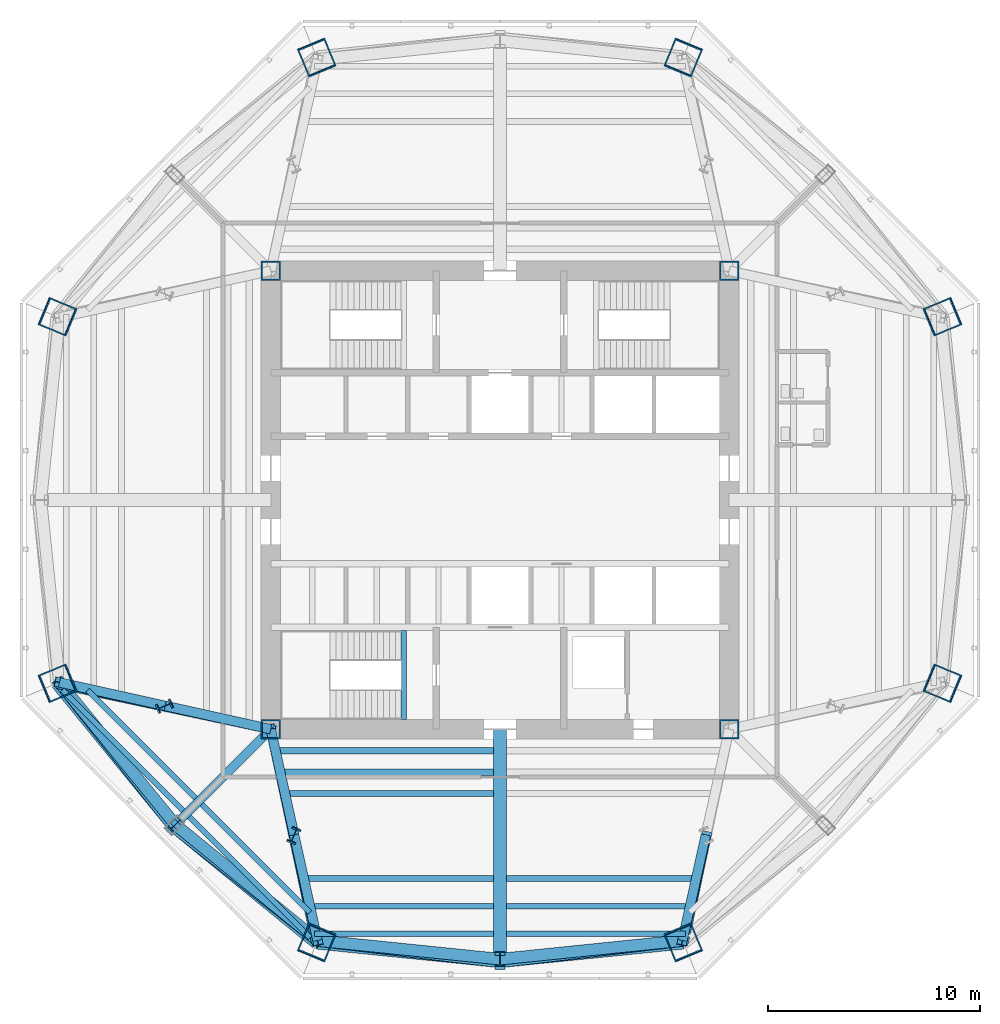
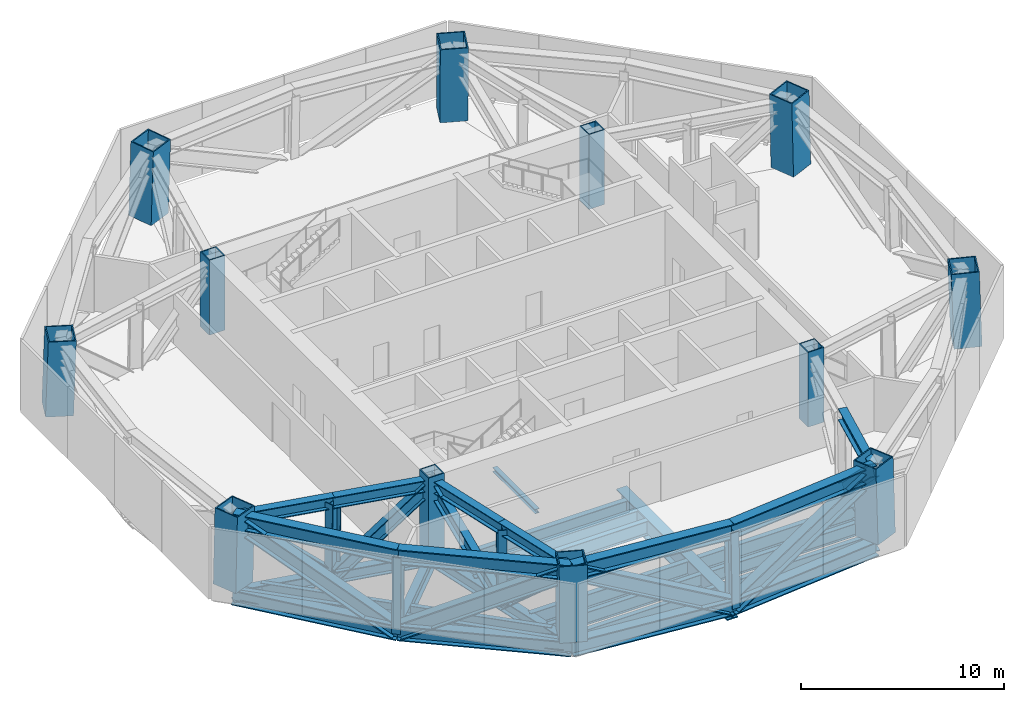
# One storey, part 1 of 10: 31 members, 16 beams, 12 columns.
"""IFC4 building model written with IfcOpenShell, lengths in metres."""

from ifc_helpers import new_model, si_unit, direction, frame, origin, origin_2d, place, context, subcontext, project, spatial, hollow_rectangle, i_section, extrude, source, transform, mapped, material, material_profile, profile_set, type_object, type_shapes, element, save


model = new_model("IFC4")

# Units and contexts
model_context = context("Model", 3, precision=1e-05, world=origin(), true_north=direction((0.0, 1.0)))
body_context = subcontext(model_context, "Body", "Model", "MODEL_VIEW")
ifc_project = project(units=[si_unit("LENGTHUNIT", "METRE"), si_unit("AREAUNIT", "SQUARE_METRE"), si_unit("VOLUMEUNIT", "CUBIC_METRE"), si_unit("PLANEANGLEUNIT", "RADIAN"), si_unit("MASSUNIT", "GRAM", prefix="KILO")], contexts=[model_context])

# Site, building, storey
site_placement = place(None, origin())
site = spatial("IfcSite", under=ifc_project, at=site_placement, CompositionType="ELEMENT")
building_placement = place(site_placement, origin())
building = spatial("IfcBuilding", under=site, at=building_placement, Name="Mashrafa Tower", CompositionType="ELEMENT")
storey_placement = place(building_placement, frame((0.0, 0.0, 193.5)))
storey = spatial("IfcBuildingStorey", under=building, at=storey_placement, Name="L44", CompositionType="ELEMENT", Elevation=193.5)

# Columns
ifc_material_1 = material(Name="Steel ASTM A572 Gr 50", Category="steel")
ifc_material_profile_1 = material_profile(ifc_material_1, hollow_rectangle(XDim=0.89990234375, YDim=0.89990234375, WallThickness=0.06005859375, at=origin_2d()), Name="BOX900X900X60")
ifc_profile_set_1 = profile_set([ifc_material_profile_1], Name="Steel ASTM A572 Gr 50")
column_type_1 = type_object("IfcColumnType", Name="Core corner column BOX900X900X60", PredefinedType="COLUMN", material=ifc_profile_set_1)
for number, where, z_axis, x_axis, name in (
    (1, (10.800048828125, 10.800048828125, 0.0), (0.0, 0.0, 1.0), (1.0, 0.0, 0.0), "Core corner column CC-NE L44"),
    (2, (-10.800048828125, 10.800048828125, 0.0), (0.0, 0.0, 1.0), (1.0, 0.0, 0.0), "Core corner column CC-NW L44"),
    (3, (-10.800048828125, -10.800048828125, 0.0), (0.0, 0.0, 1.0), (1.0, 0.0, 0.0), "Core corner column CC-SW L44"),
    (4, (10.800048828125, -10.800048828125, 0.0), (0.0, 0.0, 1.0), (1.0, 0.0, 0.0), "Core corner column CC-SE L44"),
):
    element("IfcColumn", number, at=place(storey_placement, frame(where, z_axis=z_axis, x_axis=x_axis)), inside=storey, type_object=column_type_1, Name=name, PredefinedType="COLUMN", context=body_context, shape_type="SweptSolid", body=[
        extrude(hollow_rectangle(XDim=0.89990234375, YDim=0.89990234375, WallThickness=0.06005859375, at=origin_2d()), origin(), (0.0, 0.0, 1.0), 4.5),
    ])
ifc_material_2 = material(Name="Steel ASTM A572 Gr 50", Category="steel")
ifc_material_profile_2 = material_profile(ifc_material_2, hollow_rectangle(XDim=1.39990234375, YDim=1.39990234375, WallThickness=0.06494140625, at=origin_2d()), Name="BOX1400X1400X65")
ifc_profile_set_2 = profile_set([ifc_material_profile_2], Name="Steel ASTM A572 Gr 50")
column_type_2 = type_object("IfcColumnType", Name="Mega column CFST BOX1400X1400X65", PredefinedType="COLUMN", material=ifc_profile_set_2)
for number, where, z_axis, x_axis, name in (
    (5, (20.862548828125, 8.6416015625, 0.0), (-0.028252835569, -0.011713267721, 0.999532178893), (0.38297812142, -0.923757413239, 0.0), "Mega column MC1 L44"),
    (6, (8.6416015625, 20.862548828125, 0.0), (-0.011713267721, -0.028252835569, 0.999532178893), (0.923757413239, -0.38297812142, 0.0), "Mega column MC2 L44"),
    (7, (-8.6416015625, 20.862548828125, 0.0), (0.011713267721, -0.028252835569, 0.999532178893), (0.923757413239, 0.38297812142, 0.0), "Mega column MC3 L44"),
    (8, (-20.862548828125, 8.6416015625, 0.0), (0.028252835569, -0.011713267721, 0.999532178893), (0.38297812142, 0.923757413239, 0.0), "Mega column MC4 L44"),
    (9, (-20.862548828125, -8.6416015625, 0.0), (0.028252835569, 0.011713267721, 0.999532178893), (-0.38297812142, 0.923757413239, 0.0), "Mega column MC5 L44"),
    (10, (-8.6416015625, -20.862548828125, 0.0), (0.011713267721, 0.028252835569, 0.999532178893), (-0.923757413239, 0.38297812142, 0.0), "Mega column MC6 L44"),
    (11, (8.6416015625, -20.862548828125, 0.0), (-0.011713267721, 0.028252835569, 0.999532178893), (-0.923757413239, -0.38297812142, 0.0), "Mega column MC7 L44"),
    (12, (20.862548828125, -8.6416015625, 0.0), (-0.028252835569, 0.011713267721, 0.999532178893), (-0.38297812142, -0.923757413239, 0.0), "Mega column MC8 L44"),
):
    element("IfcColumn", number, at=place(storey_placement, frame(where, z_axis=z_axis, x_axis=x_axis)), inside=storey, type_object=column_type_2, Name=name, PredefinedType="COLUMN", context=body_context, shape_type="SweptSolid", body=[
        extrude(hollow_rectangle(XDim=1.39990234375, YDim=1.39990234375, WallThickness=0.06494140625, at=origin_2d()), origin(), (0.0, 0.0, 1.0), 4.502197265625),
    ])

# Beams
ifc_material_3 = material(Name="Steel ASTM A572 Gr 50", Category="steel")
ifc_material_profile_3 = material_profile(ifc_material_3, i_section(OverallWidth=0.60009765625, OverallDepth=1.300048828125, WebThickness=0.028076171875, FlangeThickness=0.06494140625, at=origin_2d()), Name="H1300X600X28X65")
ifc_profile_set_3 = profile_set([ifc_material_profile_3], Name="Steel ASTM A572 Gr 50")
beam_type_1 = type_object("IfcBeamType", Name="Beam H1300X600X28X65", PredefinedType="BEAM", material=ifc_profile_set_3)
beam_1_placement = place(storey_placement, frame((0.0, -10.800048828125, -0.89990234375), z_axis=(0.0, -1.0, 0.0), x_axis=(1.0, 0.0, 0.0)))
element("IfcBeam", 13, at=beam_1_placement, inside=storey, type_object=beam_type_1, Name="Radial girder L44 068", PredefinedType="BEAM", context=body_context, shape_type="SweptSolid", body=[
    extrude(i_section(OverallWidth=0.60009765625, OverallDepth=1.300048828125, WebThickness=0.028076171875, FlangeThickness=0.06494140625, at=origin_2d()), origin(), (0.0, 0.0, 1.0), 10.94775390625),
])
ifc_material_4 = material(Name="Steel ASTM A992", Category="steel")
ifc_material_profile_4 = material_profile(ifc_material_4, i_section(OverallWidth=0.256591796875, OverallDepth=0.693359375, WebThickness=0.014404296875, FlangeThickness=0.023681640625, FilletRadius=0.01513671875, at=origin_2d()), Name="W27X114")
ifc_profile_set_4 = profile_set([ifc_material_profile_4], Name="Steel ASTM A992")
beam_type_2 = type_object("IfcBeamType", Name="Beam W27X114", PredefinedType="BEAM", material=ifc_profile_set_4)
for number, where, z_axis, x_axis, name in (
    (14, (-14.933837890625, -14.637451171875, -0.5966796875), (-0.707091595653, 0.707121966394, 0.0), (-0.707121966394, -0.707091595653, 0.0), "Floor beam L44 009"),
    (15, (-8.953125, -20.617919921875, -0.5966796875), (-0.707121966394, 0.707091595653, 0.0), (-0.707091595653, -0.707121966394, 0.0), "Floor beam L44 024"),
):
    element("IfcBeam", number, at=place(storey_placement, frame(where, z_axis=z_axis, x_axis=x_axis)), inside=storey, type_object=beam_type_2, Name=name, PredefinedType="BEAM", context=body_context, shape_type="SweptSolid", body=[
        extrude(i_section(OverallWidth=0.256591796875, OverallDepth=0.693359375, WebThickness=0.014404296875, FlangeThickness=0.023681640625, FilletRadius=0.01513671875, at=origin_2d()), origin(), (0.0, 0.0, 1.0), 8.03857421875),
    ])
ifc_material_5 = material(Name="Steel ASTM A992", Category="steel")
ifc_material_profile_5 = material_profile(ifc_material_5, i_section(OverallWidth=0.25390625, OverallDepth=0.683349609375, WebThickness=0.012451171875, FlangeThickness=0.01904296875, FilletRadius=0.01513671875, at=origin_2d()), Name="W27X94")
ifc_profile_set_5 = profile_set([ifc_material_profile_5], Name="Steel ASTM A992")
beam_type_3 = type_object("IfcBeamType", Name="Beam W27X94", PredefinedType="BEAM", material=ifc_profile_set_5)
for number, where, z_axis, x_axis, name in (
    (16, (-14.34130859375, -14.044921875, -0.591552734375), (-0.707089833334, 0.707123728633, 0.0), (-0.707123728633, -0.707089833334, 0.0), "Floor beam L44 011"),
    (17, (-8.95166015625, -19.434326171875, -0.591552734375), (-0.707123728633, 0.707089833334, 0.0), (-0.707089833334, -0.707123728633, 0.0), "Floor beam L44 025"),
):
    element("IfcBeam", number, at=place(storey_placement, frame(where, z_axis=z_axis, x_axis=x_axis)), inside=storey, type_object=beam_type_3, Name=name, PredefinedType="BEAM", context=body_context, shape_type="SweptSolid", body=[
        extrude(i_section(OverallWidth=0.25390625, OverallDepth=0.683349609375, WebThickness=0.012451171875, FlangeThickness=0.01904296875, FilletRadius=0.01513671875, at=origin_2d()), origin(), (0.0, 0.0, 1.0), 7.202880859375),
    ])
ifc_material_6 = material(Name="Steel ASTM A992", Category="steel")
ifc_material_profile_6 = material_profile(ifc_material_6, i_section(OverallWidth=0.2666015625, OverallDepth=0.761962890625, WebThickness=0.014404296875, FlangeThickness=0.021484375, FilletRadius=0.0166015625, at=origin_2d()), Name="W30X116")
ifc_profile_set_6 = profile_set([ifc_material_profile_6], Name="Steel ASTM A992")
beam_type_4 = type_object("IfcBeamType", Name="Beam W30X116", PredefinedType="BEAM", material=ifc_profile_set_6)
beam_2_placement = place(storey_placement, frame((-0.300048828125, -20.443603515625, -0.631103515625), z_axis=(-1.0, 0.0, 0.0), x_axis=(0.0, -1.0, 0.0)))
element("IfcBeam", 18, at=beam_2_placement, inside=storey, type_object=beam_type_4, Name="Floor beam L44 027", PredefinedType="BEAM", context=body_context, shape_type="SweptSolid", body=[
    extrude(i_section(OverallWidth=0.2666015625, OverallDepth=0.761962890625, WebThickness=0.014404296875, FlangeThickness=0.021484375, FilletRadius=0.0166015625, at=origin_2d()), origin(), (0.0, 0.0, 1.0), 8.435546875),
])
beam_3_placement = place(storey_placement, frame((-0.300048828125, -19.139404296875, -0.631103515625), z_axis=(-1.0, 0.0, 0.0), x_axis=(0.0, -1.0, 0.0)))
element("IfcBeam", 19, at=beam_3_placement, inside=storey, type_object=beam_type_4, Name="Floor beam L44 028", PredefinedType="BEAM", context=body_context, shape_type="SweptSolid", body=[
    extrude(i_section(OverallWidth=0.2666015625, OverallDepth=0.761962890625, WebThickness=0.014404296875, FlangeThickness=0.021484375, FilletRadius=0.0166015625, at=origin_2d()), origin(), (0.0, 0.0, 1.0), 8.71484375),
])
beam_4_placement = place(storey_placement, frame((8.735595703125, -20.443603515625, -0.631103515625), z_axis=(-1.0, 0.0, 0.0), x_axis=(0.0, -1.0, 0.0)))
element("IfcBeam", 20, at=beam_4_placement, inside=storey, type_object=beam_type_4, Name="Floor beam L44 039", PredefinedType="BEAM", context=body_context, shape_type="SweptSolid", body=[
    extrude(i_section(OverallWidth=0.2666015625, OverallDepth=0.761962890625, WebThickness=0.014404296875, FlangeThickness=0.021484375, FilletRadius=0.0166015625, at=origin_2d()), origin(), (0.0, 0.0, 1.0), 8.435546875),
])
beam_5_placement = place(storey_placement, frame((9.014892578125, -19.139404296875, -0.631103515625), z_axis=(-1.0, 0.0, 0.0), x_axis=(0.0, -1.0, 0.0)))
element("IfcBeam", 21, at=beam_5_placement, inside=storey, type_object=beam_type_4, Name="Floor beam L44 042", PredefinedType="BEAM", context=body_context, shape_type="SweptSolid", body=[
    extrude(i_section(OverallWidth=0.2666015625, OverallDepth=0.761962890625, WebThickness=0.014404296875, FlangeThickness=0.021484375, FilletRadius=0.0166015625, at=origin_2d()), origin(), (0.0, 0.0, 1.0), 8.71484375),
])
ifc_material_7 = material(Name="Steel ASTM A992", Category="steel")
ifc_material_profile_7 = material_profile(ifc_material_7, i_section(OverallWidth=0.2919921875, OverallDepth=0.8408203125, WebThickness=0.0146484375, FlangeThickness=0.021728515625, FilletRadius=0.017333984375, at=origin_2d()), Name="W33X130")
ifc_profile_set_7 = profile_set([ifc_material_profile_7], Name="Steel ASTM A992")
beam_type_5 = type_object("IfcBeamType", Name="Beam W33X130", PredefinedType="BEAM", material=ifc_profile_set_7)
for number, where, z_axis, x_axis, name in (
    (22, (-0.300048828125, -17.8349609375, -0.67041015625), (-1.0, 0.0, 0.0), (0.0, -1.0, 0.0), "Floor beam L44 029"),
    (23, (9.294189453125, -17.8349609375, -0.67041015625), (-1.0, 0.0, 0.0), (0.0, -1.0, 0.0), "Floor beam L44 043"),
):
    element("IfcBeam", number, at=place(storey_placement, frame(where, z_axis=z_axis, x_axis=x_axis)), inside=storey, type_object=beam_type_5, Name=name, PredefinedType="BEAM", context=body_context, shape_type="SweptSolid", body=[
        extrude(i_section(OverallWidth=0.2919921875, OverallDepth=0.8408203125, WebThickness=0.0146484375, FlangeThickness=0.021728515625, FilletRadius=0.017333984375, at=origin_2d()), origin(), (0.0, 0.0, 1.0), 8.994140625),
    ])
ifc_material_8 = material(Name="Steel ASTM A992", Category="steel")
ifc_material_profile_8 = material_profile(ifc_material_8, i_section(OverallWidth=0.2919921875, OverallDepth=0.845703125, WebThickness=0.015380859375, FlangeThickness=0.0244140625, FilletRadius=0.017333984375, at=origin_2d()), Name="W33X141")
ifc_profile_set_8 = profile_set([ifc_material_profile_8], Name="Steel ASTM A992")
beam_type_6 = type_object("IfcBeamType", Name="Beam W33X141", PredefinedType="BEAM", material=ifc_profile_set_8)
beam_6_placement = place(storey_placement, frame((-0.300048828125, -13.8349609375, -0.6728515625), z_axis=(-1.0, 0.0, 0.0), x_axis=(0.0, -1.0, 0.0)))
element("IfcBeam", 24, at=beam_6_placement, inside=storey, type_object=beam_type_6, Name="Floor beam L44 030", PredefinedType="BEAM", context=body_context, shape_type="SweptSolid", body=[
    extrude(i_section(OverallWidth=0.2919921875, OverallDepth=0.845703125, WebThickness=0.015380859375, FlangeThickness=0.0244140625, FilletRadius=0.017333984375, at=origin_2d()), origin(), (0.0, 0.0, 1.0), 9.850341796875),
])
beam_7_placement = place(storey_placement, frame((-0.300048828125, -12.8232421875, -0.6728515625), z_axis=(-1.0, 0.0, 0.0), x_axis=(0.0, -1.0, 0.0)))
element("IfcBeam", 25, at=beam_7_placement, inside=storey, type_object=beam_type_6, Name="Floor beam L44 031", PredefinedType="BEAM", context=body_context, shape_type="SweptSolid", body=[
    extrude(i_section(OverallWidth=0.2919921875, OverallDepth=0.845703125, WebThickness=0.015380859375, FlangeThickness=0.0244140625, FilletRadius=0.017333984375, at=origin_2d()), origin(), (0.0, 0.0, 1.0), 10.06689453125),
])
ifc_material_9 = material(Name="Steel ASTM A992", Category="steel")
ifc_material_profile_9 = material_profile(ifc_material_9, i_section(OverallWidth=0.3046875, OverallDepth=0.911865234375, WebThickness=0.015869140625, FlangeThickness=0.02392578125, FilletRadius=0.01904296875, at=origin_2d()), Name="W36X150")
ifc_profile_set_9 = profile_set([ifc_material_profile_9], Name="Steel ASTM A992")
beam_type_7 = type_object("IfcBeamType", Name="Beam W36X150", PredefinedType="BEAM", material=ifc_profile_set_9)
beam_8_placement = place(storey_placement, frame((-0.300048828125, -11.811767578125, -0.705810546875), z_axis=(-1.0, 0.0, 0.0), x_axis=(0.0, -1.0, 0.0)))
element("IfcBeam", 26, at=beam_8_placement, inside=storey, type_object=beam_type_7, Name="Floor beam L44 032", PredefinedType="BEAM", context=body_context, shape_type="SweptSolid", body=[
    extrude(i_section(OverallWidth=0.3046875, OverallDepth=0.911865234375, WebThickness=0.015869140625, FlangeThickness=0.02392578125, FilletRadius=0.01904296875, at=origin_2d()), origin(), (0.0, 0.0, 1.0), 10.283447265625),
])
ifc_material_10 = material(Name="Steel ASTM A992", Category="steel")
ifc_material_profile_10 = material_profile(ifc_material_10, i_section(OverallWidth=0.419189453125, OverallDepth=0.927001953125, WebThickness=0.019287109375, FlangeThickness=0.031982421875, FilletRadius=0.020263671875, at=origin_2d()), Name="W36X231")
ifc_profile_set_10 = profile_set([ifc_material_profile_10], Name="Steel ASTM A992")
beam_type_8 = type_object("IfcBeamType", Name="Beam W36X231", PredefinedType="BEAM", material=ifc_profile_set_10)
beam_9_placement = place(storey_placement, frame((-10.800048828125, -10.800048828125, -0.713623046875), z_axis=(-0.707106781187, -0.707106781187, 0.0), x_axis=(0.707106781187, -0.707106781187, 0.0)))
element("IfcBeam", 27, at=beam_9_placement, inside=storey, type_object=beam_type_8, Name="Radial girder L44 065", PredefinedType="BEAM", context=body_context, shape_type="SweptSolid", body=[
    extrude(i_section(OverallWidth=0.419189453125, OverallDepth=0.927001953125, WebThickness=0.019287109375, FlangeThickness=0.031982421875, FilletRadius=0.020263671875, at=origin_2d()), origin(), (0.0, 0.0, 1.0), 6.474365234375),
])
ifc_material_11 = material(Name="Steel ASTM A992", Category="steel")
ifc_material_profile_11 = material_profile(ifc_material_11, i_section(OverallWidth=0.25390625, OverallDepth=0.25390625, WebThickness=0.008544921875, FlangeThickness=0.01416015625, FilletRadius=0.010009765625, at=origin_2d()), Name="W10X49")
ifc_profile_set_11 = profile_set([ifc_material_profile_11], Name="Steel ASTM A992")
beam_type_9 = type_object("IfcBeamType", Name="Hoistway beam W10X49", PredefinedType="BEAM", material=ifc_profile_set_11)
beam_10_placement = place(storey_placement, frame((-4.530029296875, -10.35009765625, -0.376953125), z_axis=(0.0, 1.0, 0.0), x_axis=(-1.0, 0.0, 0.0)))
element("IfcBeam", 28, at=beam_10_placement, inside=storey, type_object=beam_type_9, Name="Stair S3 landing beam L44", PredefinedType="BEAM", context=body_context, shape_type="SweptSolid", body=[
    extrude(i_section(OverallWidth=0.25390625, OverallDepth=0.25390625, WebThickness=0.008544921875, FlangeThickness=0.01416015625, FilletRadius=0.010009765625, at=origin_2d()), origin(), (0.0, 0.0, 1.0), 4.2001953125),
])

# Members
ifc_material_12 = material(Name="Steel ASTM A572 Gr 50", Category="steel")
ifc_material_profile_12 = material_profile(ifc_material_12, i_section(OverallWidth=0.449951171875, OverallDepth=0.699951171875, WebThickness=0.028076171875, FlangeThickness=0.044921875, at=origin_2d()), Name="H700X450X28X45")
ifc_profile_set_12 = profile_set([ifc_material_profile_12], Name="Steel ASTM A572 Gr 50")
member_type_1 = type_object("IfcMemberType", Name="Outrigger post H700X450X28X45", PredefinedType="POST", material=ifc_profile_set_12)
shared_shape_1 = source(origin(), body_context, "Body", "SweptSolid", [
    extrude(i_section(OverallWidth=0.449951171875, OverallDepth=0.699951171875, WebThickness=0.028076171875, FlangeThickness=0.044921875, at=origin_2d()), origin(), (0.0, 0.0, 1.0), 4.50048828125),
])
type_shapes(member_type_1, [shared_shape_1])
for number, where, z_axis, x_axis, name in (
    (29, (-15.84130859375, -9.724853515625, -0.699951171875), (0.014158493841, 0.005858687107, 0.999882599527), (-0.382351792726, 0.924016832422, 0.0), "Outrigger post MC5 L44"),
    (30, (-9.724853515625, -15.84130859375, -0.699951171875), (0.005858687107, 0.014158493841, 0.999882599527), (-0.924016832422, 0.382351792726, 0.0), "Outrigger post MC6 L44"),
):
    element("IfcMember", number, at=place(storey_placement, frame(where, z_axis=z_axis, x_axis=x_axis)), inside=storey, type_object=member_type_1, Name=name, PredefinedType="POST", context=body_context, shape_type="MappedRepresentation", body=[
        mapped(shared_shape_1, transform((0.0, 0.0, 0.0))),
    ])
ifc_material_13 = material(Name="Steel ASTM A572 Gr 50", Category="steel")
ifc_material_profile_13 = material_profile(ifc_material_13, i_section(OverallWidth=0.550048828125, OverallDepth=0.89990234375, WebThickness=0.034912109375, FlangeThickness=0.06005859375, at=origin_2d()), Name="H900X550X35X60")
ifc_profile_set_13 = profile_set([ifc_material_profile_13], Name="Steel ASTM A572 Gr 50")
member_type_2 = type_object("IfcMemberType", Name="Belt truss chord H900X550X35X60", PredefinedType="CHORD", material=ifc_profile_set_13)
shared_shape_2 = source(origin(), body_context, "Body", "SweptSolid", [
    extrude(i_section(OverallWidth=0.550048828125, OverallDepth=0.89990234375, WebThickness=0.034912109375, FlangeThickness=0.06005859375, at=origin_2d()), origin(), (0.0, 0.0, 1.0), 8.6943359375),
])
for number, where, z_axis, x_axis, name in (
    (31, (-20.882568359375, -8.64990234375, -0.699951171875), (0.632067271702, -0.774913520364, 0.0), (0.774913520364, 0.632067271702, 0.0), "Belt truss bottom chord south-west face L44 right"),
    (32, (-8.64990234375, -20.882568359375, -0.699951171875), (-0.774913520364, 0.632067271702, 0.0), (-0.632067271702, -0.774913520364, 0.0), "Belt truss bottom chord south-west face L44 left"),
    (33, (-8.64990234375, -20.882568359375, -0.699951171875), (0.994885925169, -0.101004930083, 0.0), (0.101004930083, 0.994885925169, 0.0), "Belt truss bottom chord south face L44 right"),
    (34, (8.64990234375, -20.882568359375, -0.699951171875), (-0.994885925169, -0.101004930083, 0.0), (0.101004930083, -0.994885925169, 0.0), "Belt truss bottom chord south face L44 left"),
):
    element("IfcMember", number, at=place(storey_placement, frame(where, z_axis=z_axis, x_axis=x_axis)), inside=storey, type_object=member_type_2, Name=name, PredefinedType="CHORD", context=body_context, shape_type="MappedRepresentation", body=[
        mapped(shared_shape_2, transform((0.0, 0.0, 0.0))),
    ])
shared_shape_3 = source(origin(), body_context, "Body", "SweptSolid", [
    extrude(i_section(OverallWidth=0.550048828125, OverallDepth=0.89990234375, WebThickness=0.034912109375, FlangeThickness=0.06005859375, at=origin_2d()), origin(), (0.0, 0.0, 1.0), 8.641845703125),
])
for number, where, z_axis, x_axis, name in (
    (35, (-8.59716796875, -20.755126953125, 3.800048828125), (0.994823481867, -0.10161810826, 0.0), (0.10161810826, 0.994823481867, 0.0), "Belt truss top chord south face L44 right"),
    (36, (8.59716796875, -20.755126953125, 3.800048828125), (-0.994823481867, -0.10161810826, 0.0), (0.10161810826, -0.994823481867, 0.0), "Belt truss top chord south face L44 left"),
):
    element("IfcMember", number, at=place(storey_placement, frame(where, z_axis=z_axis, x_axis=x_axis)), inside=storey, type_object=member_type_2, Name=name, PredefinedType="CHORD", context=body_context, shape_type="MappedRepresentation", body=[
        mapped(shared_shape_3, transform((0.0, 0.0, 0.0))),
    ])
ifc_material_14 = material(Name="Steel ASTM A572 Gr 50", Category="steel")
ifc_material_profile_14 = material_profile(ifc_material_14, i_section(OverallWidth=0.449951171875, OverallDepth=0.699951171875, WebThickness=0.028076171875, FlangeThickness=0.044921875, at=origin_2d()), Name="H700X450X28X45")
ifc_profile_set_14 = profile_set([ifc_material_profile_14], Name="Steel ASTM A572 Gr 50")
member_type_3 = type_object("IfcMemberType", Name="Belt truss post H700X450X28X45", PredefinedType="POST", material=ifc_profile_set_14)
shared_shape_4 = source(origin(), body_context, "Body", "SweptSolid", [
    extrude(i_section(OverallWidth=0.449951171875, OverallDepth=0.699951171875, WebThickness=0.028076171875, FlangeThickness=0.044921875, at=origin_2d()), origin(), (0.0, 0.0, 1.0), 4.501708984375),
])
type_shapes(member_type_3, [shared_shape_4])
for number, where, z_axis, x_axis, name in (
    (37, (-15.38720703125, -15.38720703125, -0.699951171875), (0.02001151261, 0.02001151261, 0.999599459147), (-0.707106781187, 0.707106781187, 0.0), "Belt truss post south-west face L44"),
    (38, (0.0, -21.7607421875, -0.699951171875), (0.0, 0.028308962314, 0.999599221014), (-1.0, 0.0, 0.0), "Belt truss post south face L44"),
):
    element("IfcMember", number, at=place(storey_placement, frame(where, z_axis=z_axis, x_axis=x_axis)), inside=storey, type_object=member_type_3, Name=name, PredefinedType="POST", context=body_context, shape_type="MappedRepresentation", body=[
        mapped(shared_shape_4, transform((0.0, 0.0, 0.0))),
    ])
ifc_material_15 = material(Name="Steel ASTM A572 Gr 50", Category="steel")
ifc_material_profile_15 = material_profile(ifc_material_15, i_section(OverallWidth=0.550048828125, OverallDepth=0.89990234375, WebThickness=0.034912109375, FlangeThickness=0.06005859375, at=origin_2d()), Name="H900X550X35X60")
ifc_profile_set_15 = profile_set([ifc_material_profile_15], Name="Steel ASTM A572 Gr 50")
member_type_4 = type_object("IfcMemberType", Name="Belt truss diagonal H900X550X35X60", PredefinedType="BRACE", material=ifc_profile_set_15)
shared_shape_5 = source(origin(), body_context, "Body", "SweptSolid", [
    extrude(i_section(OverallWidth=0.550048828125, OverallDepth=0.89990234375, WebThickness=0.034912109375, FlangeThickness=0.06005859375, at=origin_2d()), origin(), (0.0, 0.0, 1.0), 9.755615234375),
])
for number, where, z_axis, x_axis, name in (
    (39, (0.0, -21.7607421875, -0.699951171875), (-0.881250828609, 0.103080370394, 0.461271519081), (-0.116178440511, -0.993228357408, 0.0), "Belt truss diagonal south face L44 right"),
    (40, (0.0, -21.7607421875, -0.699951171875), (0.881250828609, 0.103080370394, 0.461271519081), (-0.116178440511, 0.993228357408, 0.0), "Belt truss diagonal south face L44 left"),
):
    element("IfcMember", number, at=place(storey_placement, frame(where, z_axis=z_axis, x_axis=x_axis)), inside=storey, type_object=member_type_4, Name=name, PredefinedType="BRACE", context=body_context, shape_type="MappedRepresentation", body=[
        mapped(shared_shape_5, transform((0.0, 0.0, 0.0))),
    ])
shared_shape_6 = source(origin(), body_context, "Body", "SweptSolid", [
    extrude(i_section(OverallWidth=0.550048828125, OverallDepth=0.89990234375, WebThickness=0.034912109375, FlangeThickness=0.06005859375, at=origin_2d()), origin(), (0.0, 0.0, 1.0), 8.6416015625),
])
type_shapes(member_type_2, [shared_shape_2, shared_shape_3, shared_shape_6])
for number, where, z_axis, x_axis, name in (
    (41, (-20.755126953125, -8.59716796875, 3.800048828125), (0.63158868228, -0.77530364143, 0.0), (0.77530364143, 0.63158868228, 0.0), "Belt truss top chord south-west face L44 right"),
    (42, (-8.59716796875, -20.755126953125, 3.800048828125), (-0.77530364143, 0.63158868228, 0.0), (-0.63158868228, -0.77530364143, 0.0), "Belt truss top chord south-west face L44 left"),
):
    element("IfcMember", number, at=place(storey_placement, frame(where, z_axis=z_axis, x_axis=x_axis)), inside=storey, type_object=member_type_2, Name=name, PredefinedType="CHORD", context=body_context, shape_type="MappedRepresentation", body=[
        mapped(shared_shape_6, transform((0.0, 0.0, 0.0))),
    ])
shared_shape_7 = source(origin(), body_context, "Body", "SweptSolid", [
    extrude(i_section(OverallWidth=0.550048828125, OverallDepth=0.89990234375, WebThickness=0.034912109375, FlangeThickness=0.06005859375, at=origin_2d()), origin(), (0.0, 0.0, 1.0), 9.75537109375),
])
type_shapes(member_type_4, [shared_shape_5, shared_shape_7])
for number, where, z_axis, x_axis, name in (
    (43, (-15.38720703125, -15.38720703125, -0.699951171875), (-0.550247187114, 0.696023776232, 0.46127967221), (-0.78446888465, -0.62016817801, 0.0), "Belt truss diagonal south-west face L44 right"),
    (44, (-15.38720703125, -15.38720703125, -0.699951171875), (0.696023776232, -0.550247187114, 0.46127967221), (0.62016817801, 0.78446888465, 0.0), "Belt truss diagonal south-west face L44 left"),
):
    element("IfcMember", number, at=place(storey_placement, frame(where, z_axis=z_axis, x_axis=x_axis)), inside=storey, type_object=member_type_4, Name=name, PredefinedType="BRACE", context=body_context, shape_type="MappedRepresentation", body=[
        mapped(shared_shape_7, transform((0.0, 0.0, 0.0))),
    ])
ifc_material_16 = material(Name="Steel ASTM A572 Gr 50", Category="steel")
ifc_material_profile_16 = material_profile(ifc_material_16, i_section(OverallWidth=0.449951171875, OverallDepth=0.699951171875, WebThickness=0.028076171875, FlangeThickness=0.044921875, at=origin_2d()), Name="H700X450X28X45")
ifc_profile_set_16 = profile_set([ifc_material_profile_16], Name="Steel ASTM A572 Gr 50")
member_type_5 = type_object("IfcMemberType", Name="Outrigger chord H700X450X28X45", PredefinedType="CHORD", material=ifc_profile_set_16)
shared_shape_8 = source(origin(), body_context, "Body", "SweptSolid", [
    extrude(i_section(OverallWidth=0.449951171875, OverallDepth=0.699951171875, WebThickness=0.028076171875, FlangeThickness=0.044921875, at=origin_2d()), origin(), (0.0, 0.0, 1.0), 5.154541015625),
])
for number, where, z_axis, x_axis, name in (
    (45, (-10.800048828125, -10.800048828125, -0.699951171875), (-0.978003659152, 0.208587733784, 0.0), (-0.208587733784, -0.978003659152, 0.0), "Outrigger bottom chord MC5 L44 core end"),
    (46, (-15.84130859375, -9.724853515625, -0.699951171875), (-0.97801332028, 0.208542430587, 0.0), (-0.208542430587, -0.97801332028, 0.0), "Outrigger bottom chord MC5 L44 column end"),
    (47, (-10.800048828125, -10.800048828125, -0.699951171875), (0.208587733784, -0.978003659152, 0.0), (0.978003659152, 0.208587733784, 0.0), "Outrigger bottom chord MC6 L44 core end"),
    (48, (-9.724853515625, -15.84130859375, -0.699951171875), (0.208542430587, -0.97801332028, 0.0), (0.97801332028, 0.208542430587, 0.0), "Outrigger bottom chord MC6 L44 column end"),
    (49, (9.724853515625, -15.84130859375, -0.699951171875), (-0.208542430587, -0.97801332028, 0.0), (0.97801332028, -0.208542430587, 0.0), "Outrigger bottom chord MC7 L44 column end"),
):
    element("IfcMember", number, at=place(storey_placement, frame(where, z_axis=z_axis, x_axis=x_axis)), inside=storey, type_object=member_type_5, Name=name, PredefinedType="CHORD", context=body_context, shape_type="MappedRepresentation", body=[
        mapped(shared_shape_8, transform((0.0, 0.0, 0.0))),
    ])
shared_shape_9 = source(origin(), body_context, "Body", "SweptSolid", [
    extrude(i_section(OverallWidth=0.449951171875, OverallDepth=0.699951171875, WebThickness=0.028076171875, FlangeThickness=0.044921875, at=origin_2d()), origin(), (0.0, 0.0, 1.0), 5.097900390625),
])
type_shapes(member_type_5, [shared_shape_8, shared_shape_9])
for number, where, z_axis, x_axis, name in (
    (50, (-10.800048828125, -10.800048828125, 3.800048828125), (-0.976375993808, 0.216078501278, 0.0), (-0.216078501278, -0.976375993808, 0.0), "Outrigger top chord MC5 L44 core end"),
    (51, (-15.777587890625, -9.698486328125, 3.800048828125), (-0.976386096329, 0.216032846799, 0.0), (-0.216032846799, -0.976386096329, 0.0), "Outrigger top chord MC5 L44 column end"),
    (52, (-10.800048828125, -10.800048828125, 3.800048828125), (0.216078501278, -0.976375993808, 0.0), (0.976375993808, 0.216078501278, 0.0), "Outrigger top chord MC6 L44 core end"),
    (53, (-9.698486328125, -15.777587890625, 3.800048828125), (0.216032846799, -0.976386096329, 0.0), (0.976386096329, 0.216032846799, 0.0), "Outrigger top chord MC6 L44 column end"),
    (54, (9.698486328125, -15.777587890625, 3.800048828125), (-0.216032846799, -0.976386096329, 0.0), (0.976386096329, -0.216032846799, 0.0), "Outrigger top chord MC7 L44 column end"),
):
    element("IfcMember", number, at=place(storey_placement, frame(where, z_axis=z_axis, x_axis=x_axis)), inside=storey, type_object=member_type_5, Name=name, PredefinedType="CHORD", context=body_context, shape_type="MappedRepresentation", body=[
        mapped(shared_shape_9, transform((0.0, 0.0, 0.0))),
    ])
ifc_material_17 = material(Name="Steel ASTM A572 Gr 50", Category="steel")
ifc_material_profile_17 = material_profile(ifc_material_17, i_section(OverallWidth=0.449951171875, OverallDepth=0.699951171875, WebThickness=0.028076171875, FlangeThickness=0.044921875, at=origin_2d()), Name="H700X450X28X45")
ifc_profile_set_17 = profile_set([ifc_material_profile_17], Name="Steel ASTM A572 Gr 50")
member_type_6 = type_object("IfcMemberType", Name="Outrigger diagonal H700X450X28X45", PredefinedType="BRACE", material=ifc_profile_set_17)
shared_shape_10 = source(origin(), body_context, "Body", "SweptSolid", [
    extrude(i_section(OverallWidth=0.449951171875, OverallDepth=0.699951171875, WebThickness=0.028076171875, FlangeThickness=0.044921875, at=origin_2d()), origin(), (0.0, 0.0, 1.0), 6.842529296875),
])
for number, where, z_axis, x_axis, name in (
    (55, (-15.84130859375, -9.724853515625, -0.699951171875), (0.736752760266, -0.157133960783, 0.65765058246), (0.208587733784, 0.978003659152, 0.0), "Outrigger diagonal MC5 L44 core end"),
    (56, (-9.724853515625, -15.84130859375, -0.699951171875), (-0.157133960783, 0.736752760266, 0.65765058246), (-0.978003659152, -0.208587733784, 0.0), "Outrigger diagonal MC6 L44 core end"),
):
    element("IfcMember", number, at=place(storey_placement, frame(where, z_axis=z_axis, x_axis=x_axis)), inside=storey, type_object=member_type_6, Name=name, PredefinedType="BRACE", context=body_context, shape_type="MappedRepresentation", body=[
        mapped(shared_shape_10, transform((0.0, 0.0, 0.0))),
    ])
shared_shape_11 = source(origin(), body_context, "Body", "SweptSolid", [
    extrude(i_section(OverallWidth=0.449951171875, OverallDepth=0.699951171875, WebThickness=0.028076171875, FlangeThickness=0.044921875, at=origin_2d()), origin(), (0.0, 0.0, 1.0), 6.7578125),
])
type_shapes(member_type_6, [shared_shape_10, shared_shape_11])
for number, where, z_axis, x_axis, name in (
    (57, (-15.84130859375, -9.724853515625, -0.699951171875), (-0.727137427768, 0.166872747, 0.66590137967), (-0.223678082043, -0.974663077999, 0.0), "Outrigger diagonal MC5 L44 column end"),
    (58, (-9.724853515625, -15.84130859375, -0.699951171875), (0.166872747, -0.727137427768, 0.66590137967), (0.974663077999, 0.223678082043, 0.0), "Outrigger diagonal MC6 L44 column end"),
    (59, (9.724853515625, -15.84130859375, -0.699951171875), (-0.166872747, -0.727137427768, 0.66590137967), (0.974663077999, -0.223678082043, 0.0), "Outrigger diagonal MC7 L44 column end"),
):
    element("IfcMember", number, at=place(storey_placement, frame(where, z_axis=z_axis, x_axis=x_axis)), inside=storey, type_object=member_type_6, Name=name, PredefinedType="BRACE", context=body_context, shape_type="MappedRepresentation", body=[
        mapped(shared_shape_11, transform((0.0, 0.0, 0.0))),
    ])

save(model, "model.ifc")
